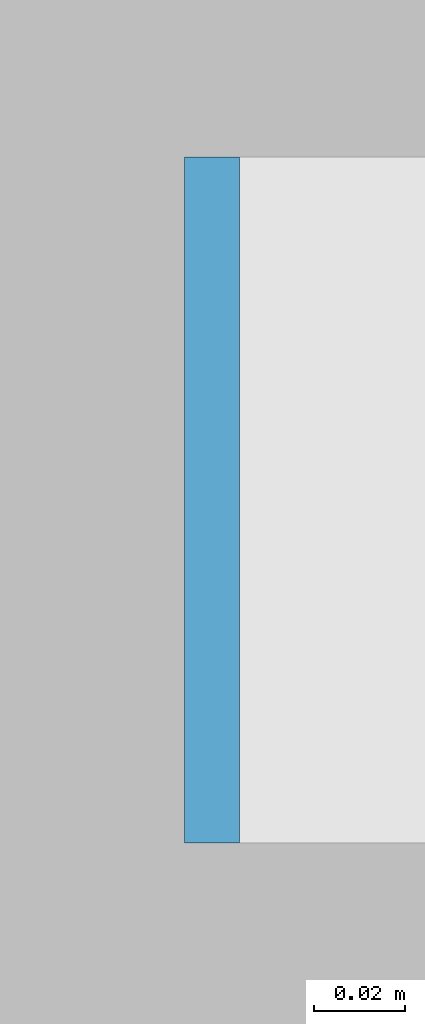
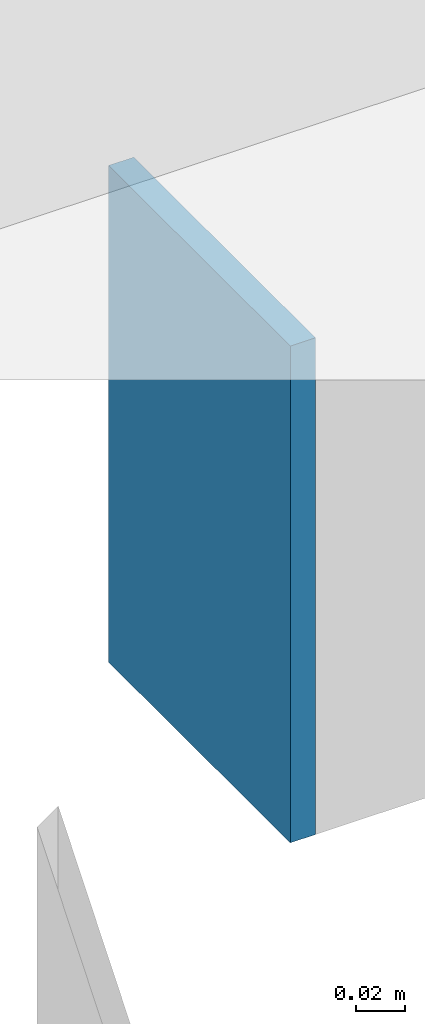
# One storey, part 80 of 105: 1 discrete accessory.
"""IFC4 building model written with IfcOpenShell, lengths in metres."""

import ifcopenshell
import ifcopenshell.guid

model = None  # the IFC model being written
_history = None  # IfcOwnerHistory: only IFC2X3 demands one
_inside = {}  # id of a spatial element -> (the spatial element, [elements in it])
_under = {}  # id of a project, library or spatial element -> (it, [spatial elements below it])
_declared = {}  # id of a project -> (the project, [libraries it declares])
_typed = {}  # id of a type object -> (the type object, [elements of that type])
_made_of = {}  # id of a material, layer set ... -> (it, [elements and type objects made of it])


def new_model(schema):
    """Start an empty IFC model of exactly this schema.

    Asked for "IFC4X3", IfcOpenShell would pick the latest addendum, in which some entities
    have other attributes; the version numbers below select the first issue.
    IFC2X3 requires an IfcOwnerHistory on every rooted entity: one is made here for all.
    """
    global model, _history
    if schema == "IFC4X3":
        model = ifcopenshell.file(schema_version=(4, 3, 0, 0))
    else:
        model = ifcopenshell.file(schema=schema)
    _inside.clear()
    _under.clear()
    _declared.clear()
    _typed.clear()
    _made_of.clear()
    _history = None
    if model.schema == "IFC2X3":
        org = make("IfcOrganization", Name="unknown")
        user = make(
            "IfcPersonAndOrganization",
            ThePerson=make("IfcPerson", FamilyName="unknown"),
            TheOrganization=org,
        )
        app = make(
            "IfcApplication",
            ApplicationDeveloper=org,
            Version="unknown",
            ApplicationFullName="unknown",
            ApplicationIdentifier="unknown",
        )
        _history = make(
            "IfcOwnerHistory",
            OwningUser=user,
            OwningApplication=app,
            ChangeAction="ADDED",
            CreationDate=0,
        )
    return model


def make(cls, **values):
    """One entity of the class cls with the attributes given. An attribute that is None is left unset."""
    return model.create_entity(
        cls, **{name: value for name, value in values.items() if value is not None}
    )


def rooted(cls, **values):
    """An entity with a GlobalId (a new one), such as an element, a storey or a relation."""
    return make(cls, GlobalId=ifcopenshell.guid.new(), OwnerHistory=_history, **values)


def si_unit(unit_type, name, prefix=None):
    """IfcSIUnit, for example si_unit("LENGTHUNIT", "METRE", prefix="MILLI")."""
    return make("IfcSIUnit", UnitType=unit_type, Prefix=prefix, Name=name)


def assignment(units):
    """IfcUnitAssignment: the units of a project."""
    return None if units is None else make("IfcUnitAssignment", Units=units)


def point(xyz):
    """IfcCartesianPoint."""
    return None if xyz is None else make("IfcCartesianPoint", Coordinates=xyz)


def direction(xyz):
    """IfcDirection."""
    return None if xyz is None else make("IfcDirection", DirectionRatios=xyz)


def frame(location, z_axis=None, x_axis=None):
    """IfcAxis2Placement3D, a coordinate frame: its origin and axes. An axis left out is left unset."""
    return make(
        "IfcAxis2Placement3D",
        Location=point(location),
        Axis=direction(z_axis),
        RefDirection=direction(x_axis),
    )


def origin():
    """The frame at (0, 0, 0) with its axes left unset."""
    return frame((0.0, 0.0, 0.0))


def place(relative_to, where):
    """IfcLocalPlacement: puts the frame where relative to a parent placement (None: the world)."""
    return make(
        "IfcLocalPlacement", PlacementRelTo=relative_to, RelativePlacement=where
    )


def context(
    kind, dimensions, precision=None, world=None, true_north=None, identifier=None
):
    """IfcGeometricRepresentationContext, for example the 3D "Model" context."""
    return make(
        "IfcGeometricRepresentationContext",
        ContextIdentifier=identifier,
        ContextType=kind,
        CoordinateSpaceDimension=dimensions,
        Precision=precision,
        WorldCoordinateSystem=world,
        TrueNorth=true_north,
    )


def subcontext(parent, identifier, kind, view, scale=None):
    """IfcGeometricRepresentationSubContext, for example "Body" below "Model"."""
    return make(
        "IfcGeometricRepresentationSubContext",
        ContextIdentifier=identifier,
        ContextType=kind,
        ParentContext=parent,
        TargetScale=scale,
        TargetView=view,
    )


def project(units=None, contexts=None):
    """IfcProject with its units and contexts."""
    return rooted(
        "IfcProject",
        Name="project",
        RepresentationContexts=contexts,
        UnitsInContext=assignment(units),
    )


def spatial(cls, under=None, at=None, **own):
    """A site, building, storey or space (cls), placed at a placement, below another one or the project."""
    s = rooted(cls, ObjectPlacement=at, **own)
    if under is not None:
        _under.setdefault(under.id(), (under, []))[1].append(s)
    return s


def polyline(points):
    """IfcPolyline through the points."""
    return make("IfcPolyline", Points=[point(p) for p in points])


def outline(outer, holes=None, kind="AREA"):
    """IfcArbitraryClosedProfileDef: a profile drawn as a closed curve; with holes, ...WithVoids."""
    if holes is None:
        return make("IfcArbitraryClosedProfileDef", ProfileType=kind, OuterCurve=outer)
    return make(
        "IfcArbitraryProfileDefWithVoids",
        ProfileType=kind,
        OuterCurve=outer,
        InnerCurves=holes,
    )


def extrude(swept, where, along, depth):
    """IfcExtrudedAreaSolid: the profile swept, set in the frame where, extruded along a direction by depth."""
    return make(
        "IfcExtrudedAreaSolid",
        SweptArea=swept,
        Position=where,
        ExtrudedDirection=direction(along),
        Depth=depth,
    )


def shape(context_of_items, identifier, shape_type, items):
    """IfcShapeRepresentation: the items that make up one representation, for example the "Body"."""
    return make(
        "IfcShapeRepresentation",
        ContextOfItems=context_of_items,
        RepresentationIdentifier=identifier,
        RepresentationType=shape_type,
        Items=items,
    )


def material(Name=None, Category=None):
    """IfcMaterial."""
    return make("IfcMaterial", Name=Name, Category=Category)


def layer(
    of_material, thickness, ventilated=None, Name=None, Category=None, Priority=None
):
    """IfcMaterialLayer: one layer of a wall or slab, of a material (None: an air gap)."""
    return make(
        "IfcMaterialLayer",
        Material=of_material,
        LayerThickness=thickness,
        IsVentilated=ventilated,
        Name=Name,
        Category=Category,
        Priority=Priority,
    )


def layer_set(layers, Name=None):
    """IfcMaterialLayerSet."""
    return make("IfcMaterialLayerSet", MaterialLayers=layers, LayerSetName=Name)


def made_of(thing, what):
    """Note that an element or type object is made of a material, layer set ...; save() writes the relation."""
    if what is not None:
        _made_of.setdefault(what.id(), (what, []))[1].append(thing)
    return thing


def type_object(cls, material=None, **own):
    """A type object (cls), such as IfcWallType, which elements share."""
    return made_of(rooted(cls, **own), material)


def element(
    cls,
    number,
    at=None,
    inside=None,
    cuts=None,
    type_object=None,
    material=None,
    context=None,
    identifier="Body",
    shape_type=None,
    held_by="IfcProductDefinitionShape",
    body=None,
    shapes=None,
    **own,
):
    """One element of the class cls, such as IfcWall. Its Tag is "e" and its number.

    at: its placement. inside: the storey or other place that contains it. cuts: it is an
    opening in that element (IfcRelVoidsElement). A single representation is given by context,
    identifier, shape_type and body (its items); several are given by shapes. held_by: the class
    of the entity that holds the representations. save() writes the other relations.
    """
    e = rooted(cls, Tag="e%d" % number, ObjectPlacement=at, **own)
    if body is not None:
        shapes = [shape(context, identifier, shape_type, body)]
    if shapes is not None:
        e.Representation = make(held_by, Representations=shapes)
    if inside is not None:
        _inside.setdefault(inside.id(), (inside, []))[1].append(e)
    if cuts is not None:
        rooted(
            "IfcRelVoidsElement", RelatingBuildingElement=cuts, RelatedOpeningElement=e
        )
    if type_object is not None:
        _typed.setdefault(type_object.id(), (type_object, []))[1].append(e)
    return made_of(e, material)


def aggregate(whole, parts):
    """IfcRelAggregates: a whole, such as a stair, and the parts it consists of."""
    return rooted("IfcRelAggregates", RelatingObject=whole, RelatedObjects=parts)


def save(model, path):
    """Write the relations noted so far, then the file.

    IfcRelAggregates (storeys below a building ...), IfcRelContainedInSpatialStructure (elements
    in a storey), IfcRelDefinesByType, IfcRelAssociatesMaterial and IfcRelDeclares: one each for
    every whole, place, type object, material and project.
    """
    for whole, parts in _under.values():
        aggregate(whole, parts)
    for where, things in _inside.values():
        rooted(
            "IfcRelContainedInSpatialStructure",
            RelatedElements=things,
            RelatingStructure=where,
        )
    for kind, things in _typed.values():
        rooted("IfcRelDefinesByType", RelatedObjects=things, RelatingType=kind)
    for what, things in _made_of.values():
        rooted("IfcRelAssociatesMaterial", RelatedObjects=things, RelatingMaterial=what)
    for by, libraries in _declared.values():
        rooted("IfcRelDeclares", RelatingContext=by, RelatedDefinitions=libraries)
    model.write(path)


model = new_model("IFC4")

# Units and contexts
model_context = context("Model", 3, precision=1e-05, world=origin(), true_north=direction((0.0, 1.0)))
body_context = subcontext(model_context, "Body", "Model", "MODEL_VIEW")
ifc_project = project(units=[si_unit("LENGTHUNIT", "METRE"), si_unit("AREAUNIT", "SQUARE_METRE"), si_unit("VOLUMEUNIT", "CUBIC_METRE"), si_unit("PLANEANGLEUNIT", "RADIAN"), si_unit("MASSUNIT", "GRAM", prefix="KILO")], contexts=[model_context])

# Site, building, storey
site_placement = place(None, origin())
site = spatial("IfcSite", under=ifc_project, at=site_placement, CompositionType="ELEMENT")
building_placement = place(site_placement, origin())
building = spatial("IfcBuilding", under=site, at=building_placement, Name="Kisiwana Market Hall", CompositionType="ELEMENT")
storey_placement = place(building_placement, frame((0.0, 0.0, 21.60009765625)))
storey = spatial("IfcBuildingStorey", under=building, at=storey_placement, Name="L04", CompositionType="ELEMENT", Elevation=21.60009765625)

# Discrete accessory
ifc_material = material(Name="Steel S355", Category="steel")
ifc_layer = layer(ifc_material, 0.011962890625)
ifc_layer_set = layer_set([ifc_layer], Name="ACC-ENDCAP-STL")
discrete_accessory_type = type_object("IfcDiscreteAccessoryType", Name="ACC-ENDCAP-STL", PredefinedType="USERDEFINED", material=ifc_layer_set)
discrete_accessory_placement = place(storey_placement, frame((0.0, 0.0, -0.5419921875)))
element("IfcDiscreteAccessory", 1, at=discrete_accessory_placement, inside=storey, type_object=discrete_accessory_type, Name="End cap plate EC-0061", ObjectType="End cap plate", PredefinedType="USERDEFINED", context=body_context, shape_type="SweptSolid", body=[
    extrude(outline(polyline([(27.195556640625, 110.925048828125), (27.195556640625, 111.074951171875), (27.18359375, 111.074951171875), (27.18359375, 110.925048828125), (27.195556640625, 110.925048828125)])), origin(), (0.0, 0.0, 1.0), 0.25),
])

save(model, "model.ifc")
